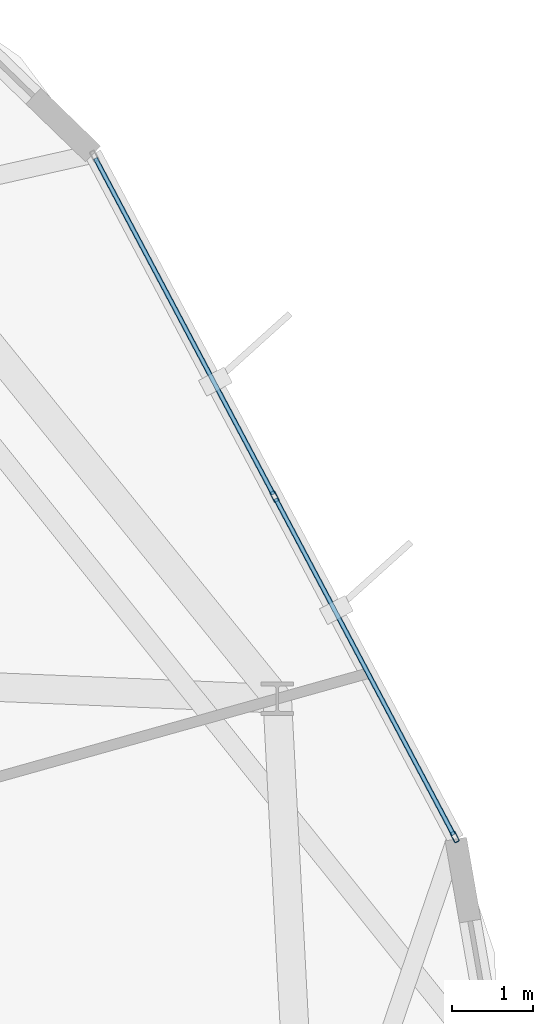
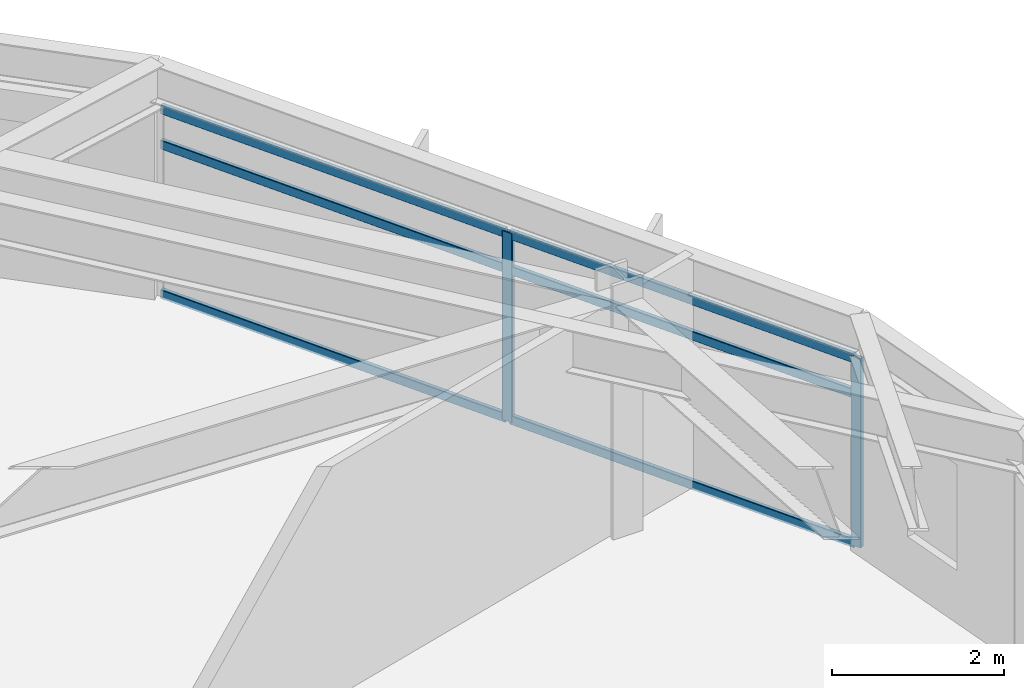
# One storey, part 15 of 28: 8 members, 1 element without a shape of its own.
"""IFC4 building model written with IfcOpenShell, lengths in metres."""

from ifc_helpers import new_model, si_unit, direction, frame, origin, origin_2d, place, context, subcontext, project, spatial, hollow_rectangle, extrude, material, layer, layer_set, material_profile, profile_set, type_object, element, aggregate, save


model = new_model("IFC4")

# Units and contexts
model_context = context("Model", 3, precision=1e-05, world=origin(), true_north=direction((0.0, 1.0)))
body_context = subcontext(model_context, "Body", "Model", "MODEL_VIEW")
ifc_project = project(units=[si_unit("LENGTHUNIT", "METRE"), si_unit("AREAUNIT", "SQUARE_METRE"), si_unit("VOLUMEUNIT", "CUBIC_METRE"), si_unit("PLANEANGLEUNIT", "RADIAN"), si_unit("MASSUNIT", "GRAM", prefix="KILO")], contexts=[model_context])

# Site, building, storey
site_placement = place(None, origin())
site = spatial("IfcSite", under=ifc_project, at=site_placement, CompositionType="ELEMENT")
building_placement = place(site_placement, origin())
building = spatial("IfcBuilding", under=site, at=building_placement, Name="Soratama Intermodal Tower", CompositionType="ELEMENT")
storey_placement = place(building_placement, frame((0.0, 0.0, 201.39990234375)))
storey = spatial("IfcBuildingStorey", under=building, at=storey_placement, Name="L50", CompositionType="ELEMENT", Elevation=201.39990234375)

# Curtain wall, members
ifc_material_1 = material(Name="Double-glazed aluminium curtain wall", Category="aluminium")
ifc_layer = layer(ifc_material_1, 0.159912109375)
ifc_layer_set = layer_set([ifc_layer], Name="Double-glazed aluminium curtain wall")
curtain_wall_type = type_object("IfcCurtainWallType", Name="CW-SYS-5", PredefinedType="NOTDEFINED", material=ifc_layer_set)
curtain_wall_placement = place(storey_placement, origin())
curtain_wall = element("IfcCurtainWall", 1, at=curtain_wall_placement, inside=storey, type_object=curtain_wall_type, Name="L50 Faceted Curtain Wall F10", PredefinedType="NOTDEFINED")
ifc_material_2 = material(Name="Anodised aluminium AA 6063-T6", Category="aluminium")
ifc_material_profile_1 = material_profile(ifc_material_2, hollow_rectangle(XDim=0.06494140625, YDim=0.139892578125, WallThickness=0.0048828125, InnerFilletRadius=0.0048828125, OuterFilletRadius=0.010009765625, at=origin_2d()), Name="CWM140X65X5")
ifc_profile_set_1 = profile_set([ifc_material_profile_1], Name="Anodised aluminium AA 6063-T6")
member_type_1 = type_object("IfcMemberType", Name="MT-CWM-5", PredefinedType="MULLION", material=ifc_profile_set_1)
member_1_placement = place(storey_placement, frame((64.568359375, 29.949951171875, 0.0), z_axis=(0.0, 0.0, 1.0), x_axis=(-0.883764662707, -0.467931641321, 0.0)))
member_1 = element("IfcMember", 2, at=member_1_placement, type_object=member_type_1, Name="CW-5 mullion 1", PredefinedType="MULLION", context=body_context, shape_type="SweptSolid", body=[
    extrude(hollow_rectangle(XDim=0.06494140625, YDim=0.139892578125, WallThickness=0.0048828125, InnerFilletRadius=0.0048828125, OuterFilletRadius=0.010009765625, at=origin_2d()), origin(), (0.0, 0.0, 1.0), 2.67919921875),
])
member_2_placement = place(storey_placement, frame((62.33056640625, 34.176025390625, 0.0), z_axis=(0.0, 0.0, 1.0), x_axis=(-0.883764662707, -0.467931641321, 0.0)))
member_2 = element("IfcMember", 3, at=member_2_placement, type_object=member_type_1, Name="CW-5 mullion 2", PredefinedType="MULLION", context=body_context, shape_type="SweptSolid", body=[
    extrude(hollow_rectangle(XDim=0.06494140625, YDim=0.139892578125, WallThickness=0.0048828125, InnerFilletRadius=0.0048828125, OuterFilletRadius=0.010009765625, at=origin_2d()), origin(), (0.0, 0.0, 1.0), 2.67919921875),
])
ifc_material_3 = material(Name="Anodised aluminium AA 6063-T6", Category="aluminium")
ifc_material_profile_2 = material_profile(ifc_material_3, hollow_rectangle(XDim=0.06005859375, YDim=0.1298828125, WallThickness=0.0048828125, InnerFilletRadius=0.0048828125, OuterFilletRadius=0.010009765625, at=origin_2d()), Name="CWT130X60X5")
ifc_profile_set_2 = profile_set([ifc_material_profile_2], Name="Anodised aluminium AA 6063-T6")
member_type_2 = type_object("IfcMemberType", Name="TT-CWT-2", PredefinedType="USERDEFINED", material=ifc_profile_set_2)
member_3_placement = place(storey_placement, frame((64.55419921875, 29.976318359375, 0.030029296875), z_axis=(-0.467897222262, 0.883782885894, 0.0), x_axis=(-0.883782885894, -0.467897222262, 0.0)))
member_3 = element("IfcMember", 4, at=member_3_placement, type_object=member_type_2, Name="CW-5 transom 1.1", ObjectType="TRANSOM", PredefinedType="USERDEFINED", context=body_context, shape_type="SweptSolid", body=[
    extrude(hollow_rectangle(XDim=0.06005859375, YDim=0.1298828125, WallThickness=0.0048828125, InnerFilletRadius=0.0048828125, OuterFilletRadius=0.010009765625, at=origin_2d()), origin(), (0.0, 0.0, 1.0), 4.72216796875),
])
member_4_placement = place(storey_placement, frame((64.55419921875, 29.976318359375, 2.150146484375), z_axis=(-0.467897222262, 0.883782885894, 0.0), x_axis=(-0.883782885894, -0.467897222262, 0.0)))
member_4 = element("IfcMember", 5, at=member_4_placement, type_object=member_type_2, Name="CW-5 transom 1.2", ObjectType="TRANSOM", PredefinedType="USERDEFINED", context=body_context, shape_type="SweptSolid", body=[
    extrude(hollow_rectangle(XDim=0.06005859375, YDim=0.1298828125, WallThickness=0.0048828125, InnerFilletRadius=0.0048828125, OuterFilletRadius=0.010009765625, at=origin_2d()), origin(), (0.0, 0.0, 1.0), 4.72216796875),
])
member_5_placement = place(storey_placement, frame((64.55419921875, 29.976318359375, 2.649169921875), z_axis=(-0.467897222262, 0.883782885894, 0.0), x_axis=(-0.883782885894, -0.467897222262, 0.0)))
member_5 = element("IfcMember", 6, at=member_5_placement, type_object=member_type_2, Name="CW-5 transom 1.3", ObjectType="TRANSOM", PredefinedType="USERDEFINED", context=body_context, shape_type="SweptSolid", body=[
    extrude(hollow_rectangle(XDim=0.06005859375, YDim=0.1298828125, WallThickness=0.0048828125, InnerFilletRadius=0.0048828125, OuterFilletRadius=0.010009765625, at=origin_2d()), origin(), (0.0, 0.0, 1.0), 4.72216796875),
])
member_6_placement = place(storey_placement, frame((62.316650390625, 34.20263671875, 0.030029296875), z_axis=(-0.467958984454, 0.88375018465, 0.0), x_axis=(-0.88375018465, -0.467958984454, 0.0)))
member_6 = element("IfcMember", 7, at=member_6_placement, type_object=member_type_2, Name="CW-5 transom 2.1", ObjectType="TRANSOM", PredefinedType="USERDEFINED", context=body_context, shape_type="SweptSolid", body=[
    extrude(hollow_rectangle(XDim=0.06005859375, YDim=0.1298828125, WallThickness=0.0048828125, InnerFilletRadius=0.0048828125, OuterFilletRadius=0.010009765625, at=origin_2d()), origin(), (0.0, 0.0, 1.0), 4.721923828125),
])
member_7_placement = place(storey_placement, frame((62.316650390625, 34.20263671875, 2.150146484375), z_axis=(-0.467958984454, 0.88375018465, 0.0), x_axis=(-0.88375018465, -0.467958984454, 0.0)))
member_7 = element("IfcMember", 8, at=member_7_placement, type_object=member_type_2, Name="CW-5 transom 2.2", ObjectType="TRANSOM", PredefinedType="USERDEFINED", context=body_context, shape_type="SweptSolid", body=[
    extrude(hollow_rectangle(XDim=0.06005859375, YDim=0.1298828125, WallThickness=0.0048828125, InnerFilletRadius=0.0048828125, OuterFilletRadius=0.010009765625, at=origin_2d()), origin(), (0.0, 0.0, 1.0), 4.721923828125),
])
member_8_placement = place(storey_placement, frame((62.316650390625, 34.20263671875, 2.649169921875), z_axis=(-0.467958984454, 0.88375018465, 0.0), x_axis=(-0.88375018465, -0.467958984454, 0.0)))
member_8 = element("IfcMember", 9, at=member_8_placement, type_object=member_type_2, Name="CW-5 transom 2.3", ObjectType="TRANSOM", PredefinedType="USERDEFINED", context=body_context, shape_type="SweptSolid", body=[
    extrude(hollow_rectangle(XDim=0.06005859375, YDim=0.1298828125, WallThickness=0.0048828125, InnerFilletRadius=0.0048828125, OuterFilletRadius=0.010009765625, at=origin_2d()), origin(), (0.0, 0.0, 1.0), 4.721923828125),
])
aggregate(curtain_wall, [member_1, member_2, member_3, member_4, member_5, member_6, member_7, member_8])

save(model, "model.ifc")
